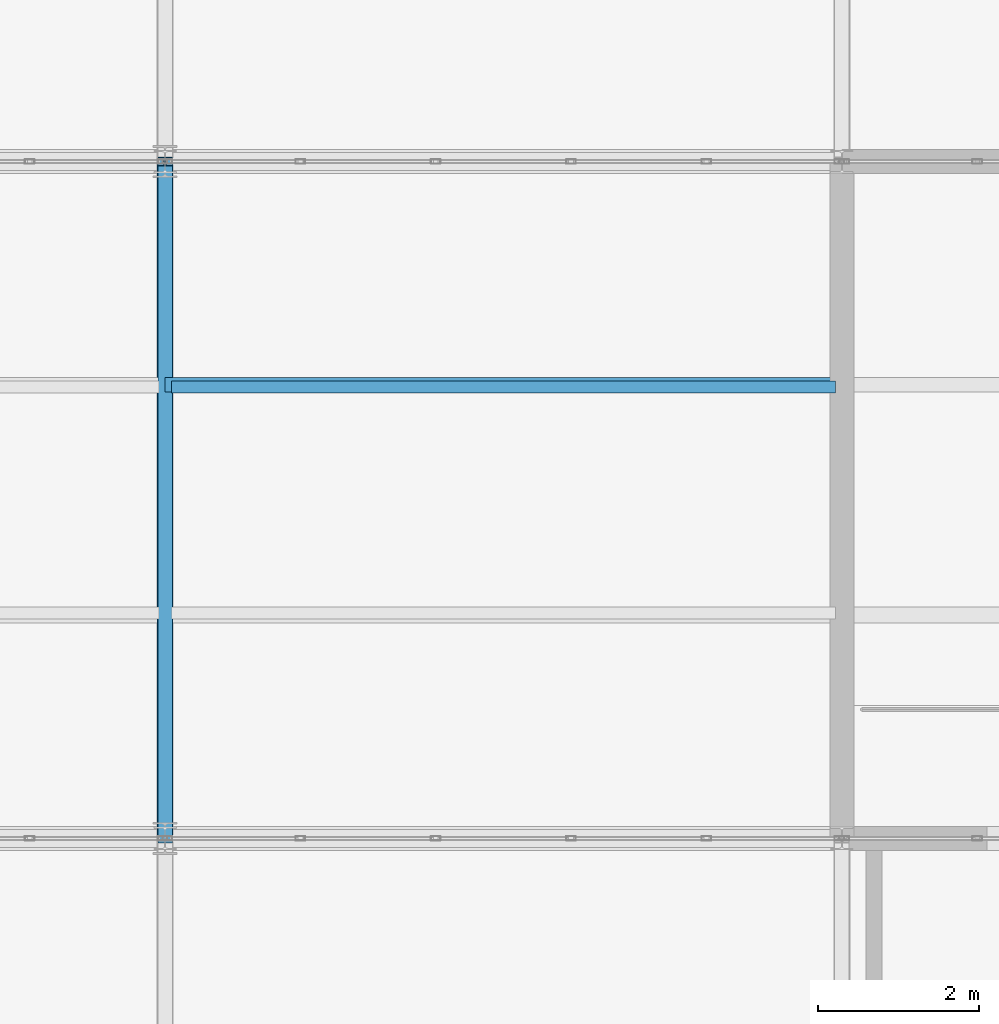
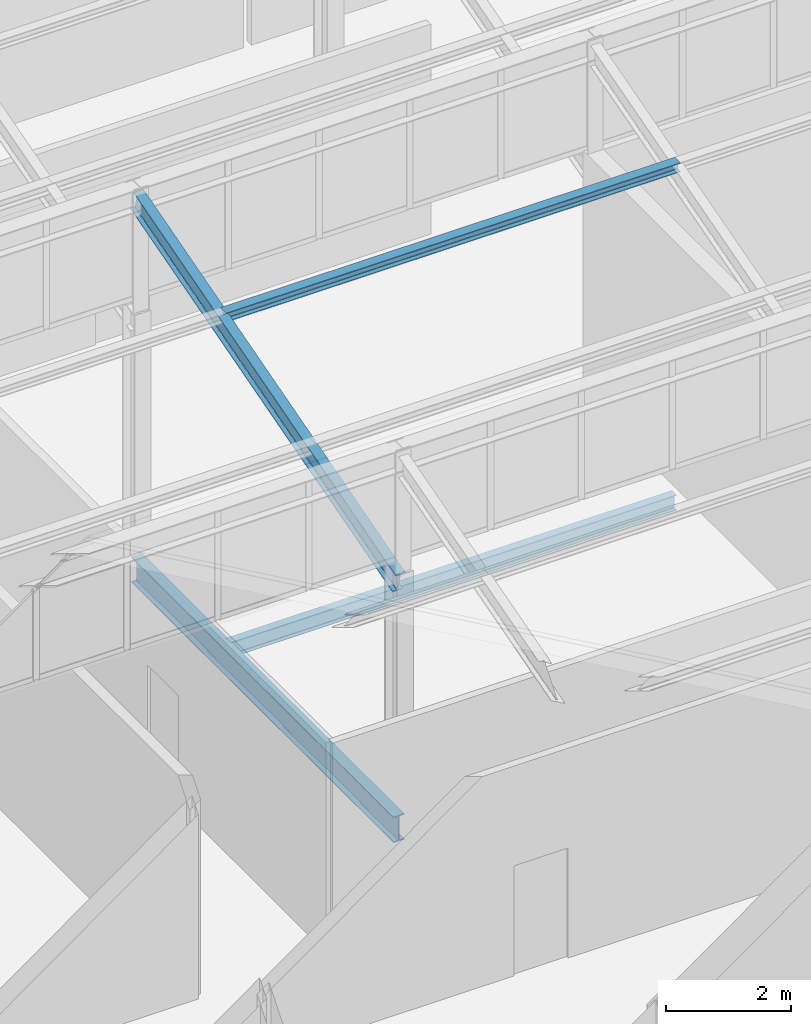
# One storey, part 13 of 53: 3 beams, 1 member.
"""IFC4 building model written with IfcOpenShell, lengths in metres."""

from ifc_helpers import new_model, si_unit, direction, frame, origin, origin_2d, place, context, subcontext, project, spatial, i_section, extrude, material, material_profile, profile_set, type_object, element, save


model = new_model("IFC4")

# Units and contexts
model_context = context("Model", 3, precision=1e-05, world=origin(), true_north=direction((0.0, 1.0)))
body_context = subcontext(model_context, "Body", "Model", "MODEL_VIEW")
ifc_project = project(units=[si_unit("LENGTHUNIT", "METRE"), si_unit("AREAUNIT", "SQUARE_METRE"), si_unit("VOLUMEUNIT", "CUBIC_METRE"), si_unit("PLANEANGLEUNIT", "RADIAN"), si_unit("MASSUNIT", "GRAM", prefix="KILO")], contexts=[model_context])

# Site, building, storey
site_placement = place(None, origin())
site = spatial("IfcSite", under=ifc_project, at=site_placement, CompositionType="ELEMENT")
building_placement = place(site_placement, origin())
building = spatial("IfcBuilding", under=site, at=building_placement, Name="Qalvenar Corner Mobility Hub", CompositionType="ELEMENT")
storey_placement = place(building_placement, frame((0.0, 0.0, 26.39990234375)))
storey = spatial("IfcBuildingStorey", under=building, at=storey_placement, Name="L06", CompositionType="ELEMENT", Elevation=26.39990234375)

# Beams
ifc_material = material(Name="Steel S355", Category="steel")
ifc_material_profile_1 = material_profile(ifc_material, i_section(OverallWidth=0.179931640625, OverallDepth=0.39990234375, WebThickness=0.008544921875, FlangeThickness=0.013427734375, FilletRadius=0.02099609375, at=origin_2d()), Name="IPE400")
ifc_profile_set_1 = profile_set([ifc_material_profile_1], Name="Steel S355")
beam_type_1 = type_object("IfcBeamType", Name="BM-IPE400", PredefinedType="BEAM", material=ifc_profile_set_1)
beam_1_placement = place(storey_placement, frame((25.199951171875, 8.39990234375, 4.340087890625), z_axis=(0.0, 0.961528165748, 0.274706364092), x_axis=(-1.0, 0.0, 0.0)))
element("IfcBeam", 1, at=beam_1_placement, inside=storey, type_object=beam_type_1, Name="Sawtooth Rafter V3RF-2-4", PredefinedType="BEAM", context=body_context, shape_type="SweptSolid", body=[
    extrude(i_section(OverallWidth=0.179931640625, OverallDepth=0.39990234375, WebThickness=0.008544921875, FlangeThickness=0.013427734375, FilletRadius=0.02099609375, at=origin_2d()), origin(), (0.0, 0.0, 1.0), 8.736328125),
])
ifc_material_profile_2 = material_profile(ifc_material, i_section(OverallWidth=0.199951171875, OverallDepth=0.5, WebThickness=0.01025390625, FlangeThickness=0.01611328125, FilletRadius=0.02099609375, at=origin_2d()), Name="IPE500")
ifc_profile_set_2 = profile_set([ifc_material_profile_2], Name="Steel S355")
beam_type_2 = type_object("IfcBeamType", Name="BM-IPE500", PredefinedType="BEAM", material=ifc_profile_set_2)
beam_2_placement = place(storey_placement, frame((25.199951171875, 8.39990234375, -0.469970703125), z_axis=(0.0, 1.0, 0.0), x_axis=(-1.0, 0.0, 0.0)))
element("IfcBeam", 2, at=beam_2_placement, inside=storey, type_object=beam_type_2, Name="Primary Steel Girder GY-3090", PredefinedType="BEAM", context=body_context, shape_type="SweptSolid", body=[
    extrude(i_section(OverallWidth=0.199951171875, OverallDepth=0.5, WebThickness=0.01025390625, FlangeThickness=0.01611328125, FilletRadius=0.02099609375, at=origin_2d()), origin(), (0.0, 0.0, 1.0), 8.400146484375),
])
ifc_material_profile_3 = material_profile(ifc_material, i_section(OverallWidth=0.14990234375, OverallDepth=0.300048828125, WebThickness=0.007080078125, FlangeThickness=0.0107421875, FilletRadius=0.014892578125, at=origin_2d()), Name="IPE300")
ifc_profile_set_3 = profile_set([ifc_material_profile_3], Name="Steel S355")
beam_type_3 = type_object("IfcBeamType", Name="BM-JST300", PredefinedType="JOIST", material=ifc_profile_set_3)
beam_3_placement = place(storey_placement, frame((25.278076171875, 14.0, -0.369873046875), z_axis=(1.0, 0.0, 0.0), x_axis=(0.0, 1.0, 0.0)))
element("IfcBeam", 3, at=beam_3_placement, inside=storey, type_object=beam_type_3, Name="Composite Floor Joist J-3127", PredefinedType="JOIST", context=body_context, shape_type="SweptSolid", body=[
    extrude(i_section(OverallWidth=0.14990234375, OverallDepth=0.300048828125, WebThickness=0.007080078125, FlangeThickness=0.0107421875, FilletRadius=0.014892578125, at=origin_2d()), origin(), (0.0, 0.0, 1.0), 8.243896484375),
])

# Member
ifc_material_profile_4 = material_profile(ifc_material, i_section(OverallWidth=0.179931640625, OverallDepth=0.179931640625, WebThickness=0.008544921875, FlangeThickness=0.013916015625, FilletRadius=0.014892578125, at=origin_2d()), Name="HEB180")
ifc_profile_set_4 = profile_set([ifc_material_profile_4], Name="Steel S355")
member_type = type_object("IfcMemberType", Name="PR-RHS180", PredefinedType="PURLIN", material=ifc_profile_set_4)
member_placement = place(storey_placement, frame((25.199951171875, 14.028076171875, 6.148193359375), z_axis=(1.0, 0.0, 0.0), x_axis=(0.0, 1.0, 0.0)))
element("IfcMember", 4, at=member_placement, inside=storey, type_object=member_type, Name="Sawtooth Roof Purlin PR-V3-2-4-67", PredefinedType="PURLIN", context=body_context, shape_type="SweptSolid", body=[
    extrude(i_section(OverallWidth=0.179931640625, OverallDepth=0.179931640625, WebThickness=0.008544921875, FlangeThickness=0.013916015625, FilletRadius=0.014892578125, at=origin_2d()), origin(), (0.0, 0.0, 1.0), 8.400146484375),
])

save(model, "model.ifc")
